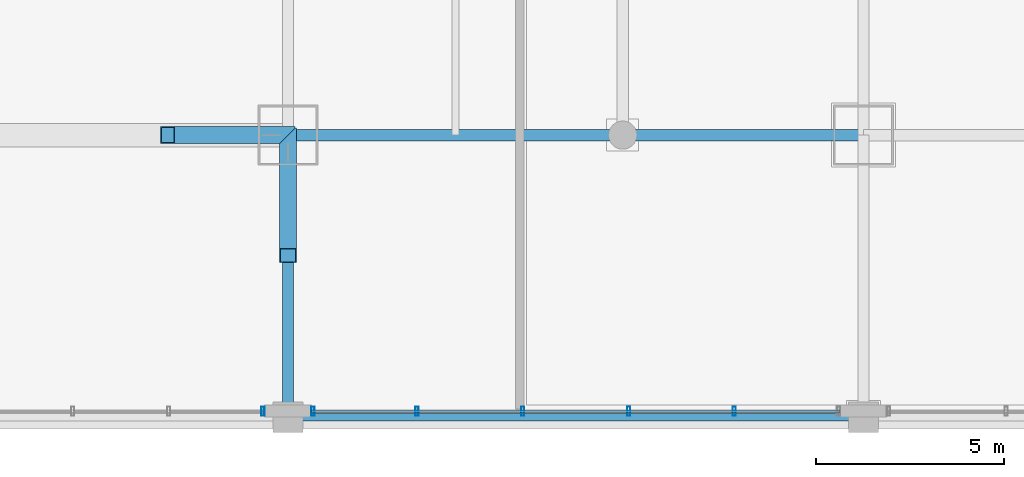
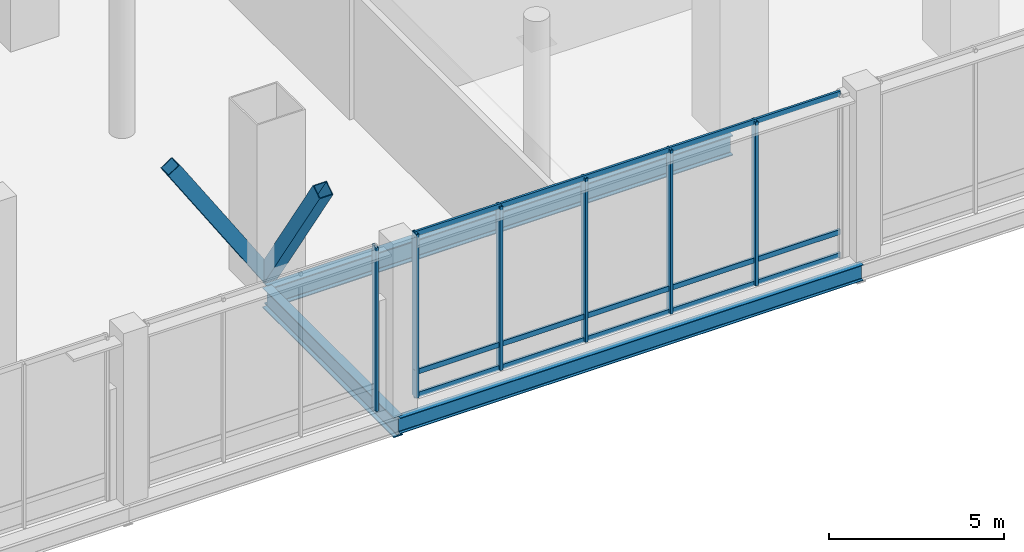
# One storey, part 4 of 38: 11 members, 3 beams, 2 elements without a shape of their own.
"""IFC4 building model written with IfcOpenShell, lengths in metres."""

from ifc_helpers import new_model, si_unit, direction, frame, origin, origin_2d, place, context, subcontext, project, spatial, hollow_rectangle, i_section, extrude, material, material_profile, profile_set, type_object, element, aggregate, save


model = new_model("IFC4")

# Units and contexts
model_context = context("Model", 3, precision=1e-05, world=origin(), true_north=direction((0.0, 1.0)))
body_context = subcontext(model_context, "Body", "Model", "MODEL_VIEW")
ifc_project = project(units=[si_unit("LENGTHUNIT", "METRE"), si_unit("AREAUNIT", "SQUARE_METRE"), si_unit("VOLUMEUNIT", "CUBIC_METRE"), si_unit("PLANEANGLEUNIT", "RADIAN"), si_unit("MASSUNIT", "GRAM", prefix="KILO")], contexts=[model_context])

# Site, building, storey
site_placement = place(None, origin())
site = spatial("IfcSite", under=ifc_project, at=site_placement, CompositionType="ELEMENT")
building_placement = place(site_placement, origin())
building = spatial("IfcBuilding", under=site, at=building_placement, Name="Punatoya Terracotta Tower", CompositionType="ELEMENT")
storey_placement = place(building_placement, frame((0.0, 0.0, 22.199951171875)))
storey = spatial("IfcBuildingStorey", under=building, at=storey_placement, Name="L04", CompositionType="ELEMENT", Elevation=22.199951171875)

# Beams
ifc_material_1 = material(Name="Steel S355", Category="steel")
ifc_material_profile_1 = material_profile(ifc_material_1, i_section(OverallWidth=0.300048828125, OverallDepth=0.699951171875, WebThickness=0.01708984375, FlangeThickness=0.031982421875, FilletRadius=0.01806640625, at=origin_2d()))
ifc_profile_set_1 = profile_set([ifc_material_profile_1], Name="Steel S355")
beam_type_1 = type_object("IfcBeamType", Name="BM-PRI-700", PredefinedType="BEAM", material=ifc_profile_set_1)
beam_1_placement = place(storey_placement, frame((-19.10009765625, -17.5, -0.72998046875), z_axis=(1.0, 0.0, 0.0), x_axis=(0.0, 1.0, 0.0)))
element("IfcBeam", 1, at=beam_1_placement, inside=storey, type_object=beam_type_1, Name="BM-L04-RG-S1", PredefinedType="BEAM", context=body_context, shape_type="SweptSolid", body=[
    extrude(i_section(OverallWidth=0.300048828125, OverallDepth=0.699951171875, WebThickness=0.01708984375, FlangeThickness=0.031982421875, FilletRadius=0.01806640625, at=origin_2d()), origin(), (0.0, 0.0, 1.0), 15.300048828125),
])
beam_2_placement = place(storey_placement, frame((-19.10009765625, -25.0, -0.72998046875), z_axis=(0.0, 1.0, 0.0), x_axis=(-1.0, 0.0, 0.0)))
element("IfcBeam", 2, at=beam_2_placement, inside=storey, type_object=beam_type_1, Name="BM-L04-M19W--25", PredefinedType="BEAM", context=body_context, shape_type="SweptSolid", body=[
    extrude(i_section(OverallWidth=0.300048828125, OverallDepth=0.699951171875, WebThickness=0.01708984375, FlangeThickness=0.031982421875, FilletRadius=0.01806640625, at=origin_2d()), origin(), (0.0, 0.0, 1.0), 7.5),
])
ifc_material_profile_2 = material_profile(ifc_material_1, i_section(OverallWidth=0.2099609375, OverallDepth=0.550048828125, WebThickness=0.010986328125, FlangeThickness=0.01708984375, FilletRadius=0.01806640625, at=origin_2d()))
ifc_profile_set_2 = profile_set([ifc_material_profile_2], Name="Steel S355")
beam_type_2 = type_object("IfcBeamType", Name="BM-SPN-550", PredefinedType="SPANDREL", material=ifc_profile_set_2)
beam_3_placement = place(storey_placement, frame((-19.10009765625, -25.0, -0.655029296875), z_axis=(1.0, 0.0, 0.0), x_axis=(0.0, 1.0, 0.0)))
element("IfcBeam", 3, at=beam_3_placement, inside=storey, type_object=beam_type_2, Name="BM-L04-MIDA-1", PredefinedType="SPANDREL", context=body_context, shape_type="SweptSolid", body=[
    extrude(i_section(OverallWidth=0.2099609375, OverallDepth=0.550048828125, WebThickness=0.010986328125, FlangeThickness=0.01708984375, FilletRadius=0.01806640625, at=origin_2d()), origin(), (0.0, 0.0, 1.0), 15.300048828125),
])

# Curtain wall, member
ifc_material_2 = material(Name="Aluminium 6063-T6 + Double Low-E Glass", Category="aluminium")
curtain_wall_type = type_object("IfcCurtainWallType", Name="CW-POD", PredefinedType="NOTDEFINED", material=ifc_material_2)
curtain_wall_1_placement = place(storey_placement, origin())
curtain_wall_1 = element("IfcCurtainWall", 4, at=curtain_wall_1_placement, inside=storey, type_object=curtain_wall_type, Name="L04 Curtain Wall CWP-L04-S2", PredefinedType="NOTDEFINED")
ifc_material_3 = material(Name="Aluminium 6063-T6", Category="aluminium")
ifc_material_profile_3 = material_profile(ifc_material_3, hollow_rectangle(XDim=0.0849609375, YDim=0.239990234375, WallThickness=0.0048828125, at=origin_2d()))
ifc_profile_set_3 = profile_set([ifc_material_profile_3], Name="Aluminium 6063-T6")
member_type_1 = type_object("IfcMemberType", Name="CW-MUL-POD", PredefinedType="MULLION", material=ifc_profile_set_3)
member_1_placement = place(storey_placement, frame((-19.764892578125, -24.840087890625, 0.0), z_axis=(0.0, 0.0, 1.0), x_axis=(1.0, 0.0, 0.0)))
member_1 = element("IfcMember", 5, at=member_1_placement, type_object=member_type_1, Name="CWP-L04-S2 Mullion 03", PredefinedType="MULLION", context=body_context, shape_type="SweptSolid", body=[
    extrude(hollow_rectangle(XDim=0.0849609375, YDim=0.239990234375, WallThickness=0.0048828125, at=origin_2d()), origin(), (0.0, 0.0, 1.0), 5.719970703125),
])
aggregate(curtain_wall_1, [member_1])

# Curtain wall, members
curtain_wall_2_placement = place(storey_placement, origin())
curtain_wall_2 = element("IfcCurtainWall", 6, at=curtain_wall_2_placement, inside=storey, type_object=curtain_wall_type, Name="L04 Curtain Wall CWP-L04-S3", PredefinedType="NOTDEFINED")
member_2_placement = place(storey_placement, frame((-18.43505859375, -24.840087890625, 0.0), z_axis=(0.0, 0.0, 1.0), x_axis=(1.0, 0.0, 0.0)))
member_2 = element("IfcMember", 7, at=member_2_placement, type_object=member_type_1, Name="CWP-L04-S3 Mullion 00", PredefinedType="MULLION", context=body_context, shape_type="SweptSolid", body=[
    extrude(hollow_rectangle(XDim=0.0849609375, YDim=0.239990234375, WallThickness=0.0048828125, at=origin_2d()), origin(), (0.0, 0.0, 1.0), 5.719970703125),
])
member_3_placement = place(storey_placement, frame((-15.66796875, -24.840087890625, 0.0), z_axis=(0.0, 0.0, 1.0), x_axis=(1.0, 0.0, 0.0)))
member_3 = element("IfcMember", 8, at=member_3_placement, type_object=member_type_1, Name="CWP-L04-S3 Mullion 01", PredefinedType="MULLION", context=body_context, shape_type="SweptSolid", body=[
    extrude(hollow_rectangle(XDim=0.0849609375, YDim=0.239990234375, WallThickness=0.0048828125, at=origin_2d()), origin(), (0.0, 0.0, 1.0), 5.719970703125),
])
member_4_placement = place(storey_placement, frame((-12.85595703125, -24.840087890625, 0.0), z_axis=(0.0, 0.0, 1.0), x_axis=(1.0, 0.0, 0.0)))
member_4 = element("IfcMember", 9, at=member_4_placement, type_object=member_type_1, Name="CWP-L04-S3 Mullion 02", PredefinedType="MULLION", context=body_context, shape_type="SweptSolid", body=[
    extrude(hollow_rectangle(XDim=0.0849609375, YDim=0.239990234375, WallThickness=0.0048828125, at=origin_2d()), origin(), (0.0, 0.0, 1.0), 5.719970703125),
])
member_5_placement = place(storey_placement, frame((-10.0439453125, -24.840087890625, 0.0), z_axis=(0.0, 0.0, 1.0), x_axis=(1.0, 0.0, 0.0)))
member_5 = element("IfcMember", 10, at=member_5_placement, type_object=member_type_1, Name="CWP-L04-S3 Mullion 03", PredefinedType="MULLION", context=body_context, shape_type="SweptSolid", body=[
    extrude(hollow_rectangle(XDim=0.0849609375, YDim=0.239990234375, WallThickness=0.0048828125, at=origin_2d()), origin(), (0.0, 0.0, 1.0), 5.719970703125),
])
member_6_placement = place(storey_placement, frame((-7.23193359375, -24.840087890625, 0.0), z_axis=(0.0, 0.0, 1.0), x_axis=(1.0, 0.0, 0.0)))
member_6 = element("IfcMember", 11, at=member_6_placement, type_object=member_type_1, Name="CWP-L04-S3 Mullion 04", PredefinedType="MULLION", context=body_context, shape_type="SweptSolid", body=[
    extrude(hollow_rectangle(XDim=0.0849609375, YDim=0.239990234375, WallThickness=0.0048828125, at=origin_2d()), origin(), (0.0, 0.0, 1.0), 5.719970703125),
])
ifc_material_profile_4 = material_profile(ifc_material_3, hollow_rectangle(XDim=0.074951171875, YDim=0.175048828125, WallThickness=0.00439453125, at=origin_2d()))
ifc_profile_set_4 = profile_set([ifc_material_profile_4], Name="Aluminium 6063-T6")
member_type_2 = type_object("IfcMemberType", Name="CW-TRN-POD", PredefinedType="USERDEFINED", material=ifc_profile_set_4)
member_7_placement = place(storey_placement, frame((-18.47998046875, -24.840087890625, 0.0400390625), z_axis=(1.0, 0.0, 0.0), x_axis=(0.0, 1.0, 0.0)))
member_7 = element("IfcMember", 12, at=member_7_placement, type_object=member_type_2, Name="CWP-L04-S3 Transom 1", ObjectType="TRANSOM", PredefinedType="USERDEFINED", context=body_context, shape_type="SweptSolid", body=[
    extrude(hollow_rectangle(XDim=0.074951171875, YDim=0.175048828125, WallThickness=0.00439453125, at=origin_2d()), origin(), (0.0, 0.0, 1.0), 14.06005859375),
])
member_8_placement = place(storey_placement, frame((-18.47998046875, -24.840087890625, 0.85009765625), z_axis=(1.0, 0.0, 0.0), x_axis=(0.0, 1.0, 0.0)))
member_8 = element("IfcMember", 13, at=member_8_placement, type_object=member_type_2, Name="CWP-L04-S3 Transom 2", ObjectType="TRANSOM", PredefinedType="USERDEFINED", context=body_context, shape_type="SweptSolid", body=[
    extrude(hollow_rectangle(XDim=0.074951171875, YDim=0.175048828125, WallThickness=0.00439453125, at=origin_2d()), origin(), (0.0, 0.0, 1.0), 14.06005859375),
])
member_9_placement = place(storey_placement, frame((-18.47998046875, -24.840087890625, 5.679931640625), z_axis=(1.0, 0.0, 0.0), x_axis=(0.0, 1.0, 0.0)))
member_9 = element("IfcMember", 14, at=member_9_placement, type_object=member_type_2, Name="CWP-L04-S3 Transom 3", ObjectType="TRANSOM", PredefinedType="USERDEFINED", context=body_context, shape_type="SweptSolid", body=[
    extrude(hollow_rectangle(XDim=0.074951171875, YDim=0.175048828125, WallThickness=0.00439453125, at=origin_2d()), origin(), (0.0, 0.0, 1.0), 14.06005859375),
])
aggregate(curtain_wall_2, [member_2, member_3, member_4, member_5, member_6, member_7, member_8, member_9])

# Members
ifc_material_4 = material(Name="Steel S460", Category="steel")
ifc_material_profile_5 = material_profile(ifc_material_4, hollow_rectangle(XDim=0.449951171875, YDim=0.449951171875, WallThickness=0.02490234375, at=origin_2d()))
ifc_profile_set_5 = profile_set([ifc_material_profile_5], Name="Steel S460")
member_type_3 = type_object("IfcMemberType", Name="MEM-STR-450", PredefinedType="STRUT", material=ifc_profile_set_5)
for number, where, z_axis, x_axis, name in (
    (15, (-19.10009765625, -17.5, 0.02001953125), (-0.54677159325, 0.0, 0.837281807288), (0.0, -1.0, 0.0), "L05 Cantilever Raking Knee-Strut W1"),
    (16, (-19.10009765625, -17.5, 0.02001953125), (0.0, -0.54677159325, 0.837281807288), (1.0, 0.0, 0.0), "L05 Cantilever Raking Knee-Strut S1"),
):
    element("IfcMember", number, at=place(storey_placement, frame(where, z_axis=z_axis, x_axis=x_axis)), inside=storey, type_object=member_type_3, Name=name, PredefinedType="STRUT", context=body_context, shape_type="SweptSolid", body=[
        extrude(hollow_rectangle(XDim=0.449951171875, YDim=0.449951171875, WallThickness=0.02490234375, at=origin_2d()), origin(), (0.0, 0.0, 1.0), 5.8525390625),
    ])

save(model, "model.ifc")
